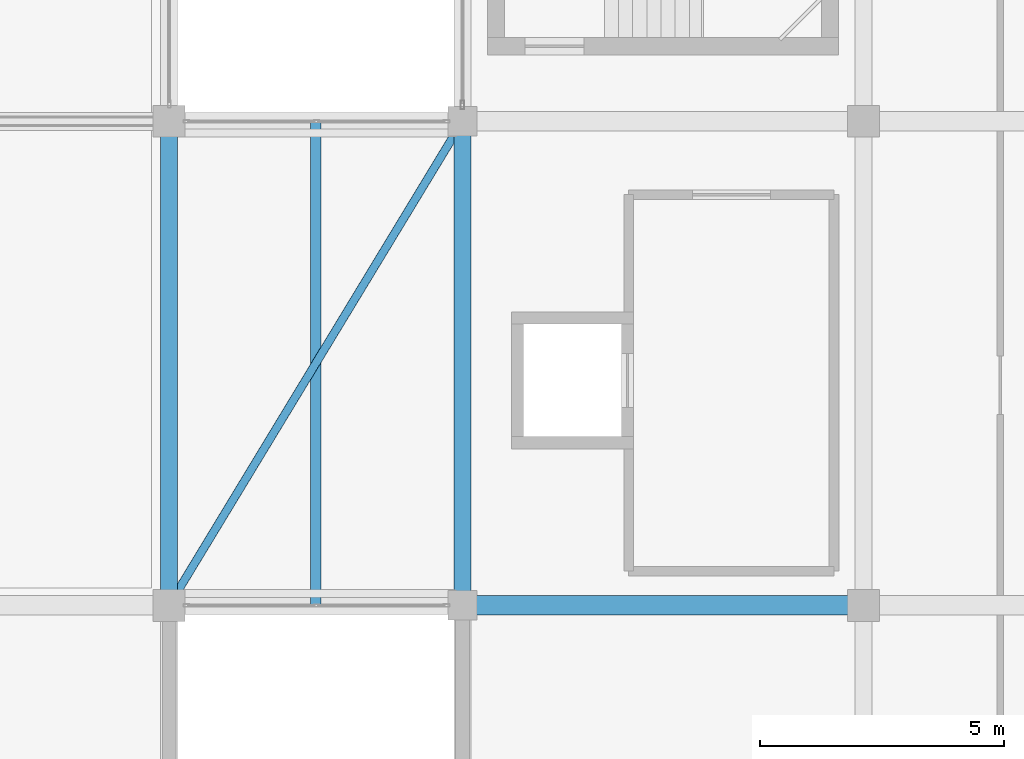
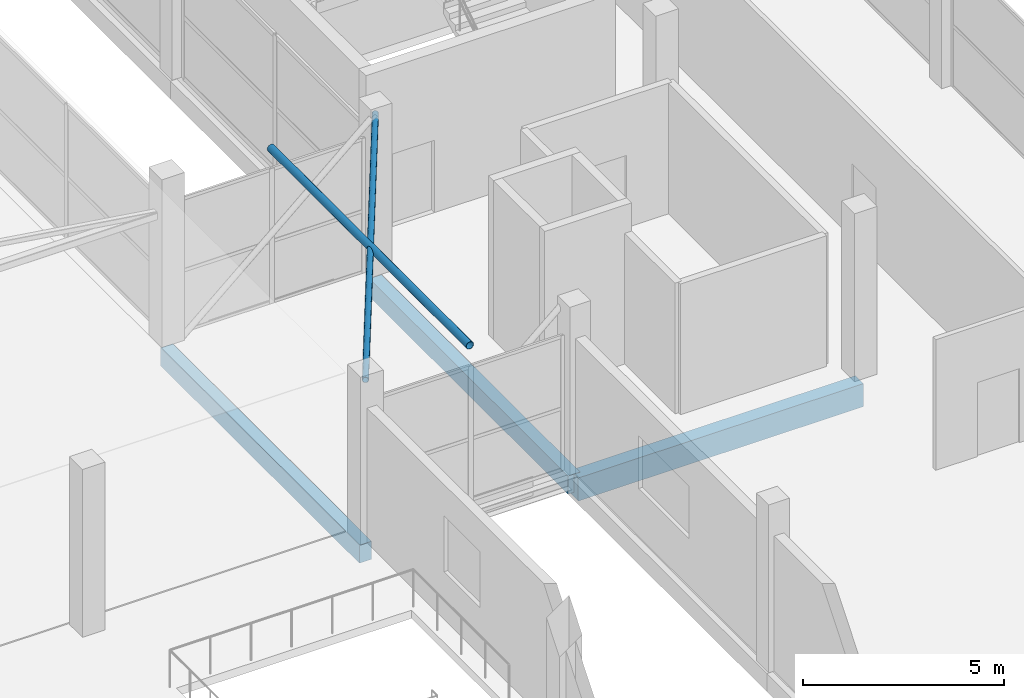
# One storey, part 13 of 58: 3 beams, 2 members.
"""IFC4 building model written with IfcOpenShell, lengths in metres."""

from ifc_helpers import new_model, si_unit, direction, frame, origin, origin_2d, place, context, subcontext, project, spatial, rectangle, hollow_circle, extrude, material, material_profile, profile_set, type_object, element, save


model = new_model("IFC4")

# Units and contexts
model_context = context("Model", 3, precision=1e-05, world=origin(), true_north=direction((0.0, 1.0)))
body_context = subcontext(model_context, "Body", "Model", "MODEL_VIEW")
ifc_project = project(units=[si_unit("LENGTHUNIT", "METRE"), si_unit("AREAUNIT", "SQUARE_METRE"), si_unit("VOLUMEUNIT", "CUBIC_METRE"), si_unit("PLANEANGLEUNIT", "RADIAN"), si_unit("MASSUNIT", "GRAM", prefix="KILO")], contexts=[model_context])

# Site, building, storey
site_placement = place(None, origin())
site = spatial("IfcSite", under=ifc_project, at=site_placement, CompositionType="ELEMENT")
building_placement = place(site_placement, origin())
building = spatial("IfcBuilding", under=site, at=building_placement, Name="Sillaruma Civic Art Gallery", CompositionType="ELEMENT")
storey_placement = place(building_placement, frame((0.0, 0.0, 52.02001953125)))
storey = spatial("IfcBuildingStorey", under=building, at=storey_placement, Name="L10", CompositionType="ELEMENT", Elevation=52.02001953125)

# Beams
ifc_material_1 = material(Name="Concrete H35 (35 MPa)", Category="concrete")
ifc_material_profile_1 = material_profile(ifc_material_1, rectangle(XDim=0.39990234375, YDim=0.699951171875, at=origin_2d()), Name="RCB400x700")
ifc_profile_set_1 = profile_set([ifc_material_profile_1], Name="Concrete H35 (35 MPa)")
beam_type_1 = type_object("IfcBeamType", Name="BM-BEAM-RCB400x700", PredefinedType="BEAM", material=ifc_profile_set_1)
beam_placement = place(storey_placement, frame((98.0, 39.60009765625, -0.60009765625), z_axis=(1.0, 0.0, 0.0), x_axis=(0.0, 1.0, 0.0)))
element("IfcBeam", 1, at=beam_placement, inside=storey, type_object=beam_type_1, Name="Beam BM-04 (L09:5:L-M)", PredefinedType="BEAM", context=body_context, shape_type="SweptSolid", body=[
    extrude(rectangle(XDim=0.39990234375, YDim=0.699951171875, at=origin_2d()), origin(), (0.0, 0.0, 1.0), 8.199951171875),
])
ifc_material_profile_2 = material_profile(ifc_material_1, rectangle(XDim=0.35009765625, YDim=0.550048828125, at=origin_2d()), Name="RCB350x550")
ifc_profile_set_2 = profile_set([ifc_material_profile_2], Name="Concrete H35 (35 MPa)")
beam_type_2 = type_object("IfcBeamType", Name="BM-SPANDREL-RCB350x550", PredefinedType="SPANDREL", material=ifc_profile_set_2)
for number, where, z_axis, x_axis, name in (
    (2, (92.0, 39.60009765625, -0.52490234375), (0.0, 1.0, 0.0), (-1.0, 0.0, 0.0), "Beam BS-04 (L09:K:5-6)"),
    (3, (98.0, 39.60009765625, -0.52490234375), (0.0, 1.0, 0.0), (-1.0, 0.0, 0.0), "Beam BS-04 (L09:L:5-6)"),
):
    element("IfcBeam", number, at=place(storey_placement, frame(where, z_axis=z_axis, x_axis=x_axis)), inside=storey, type_object=beam_type_2, Name=name, PredefinedType="SPANDREL", context=body_context, shape_type="SweptSolid", body=[
        extrude(rectangle(XDim=0.35009765625, YDim=0.550048828125, at=origin_2d()), origin(), (0.0, 0.0, 1.0), 9.89990234375),
    ])

# Members
ifc_material_2 = material(Name="Structural Steel ASTM A500 Gr.C", Category="steel")
ifc_material_profile_3 = material_profile(ifc_material_2, hollow_circle(Radius=0.084228515625, WallThickness=0.007080078125, at=origin_2d()), Name="CHS168.3x7.1")
ifc_profile_set_3 = profile_set([ifc_material_profile_3], Name="Structural Steel ASTM A500 Gr.C")
member_type_1 = type_object("IfcMemberType", Name="MEM-BRIDGE-BRACE", PredefinedType="BRACE", material=ifc_profile_set_3)
member_1_placement = place(storey_placement, frame((92.0, 39.60009765625, 4.7119140625), z_axis=(0.518305455332, 0.855195565337, 0.0), x_axis=(-0.855195565337, 0.518305455332, 0.0)))
element("IfcMember", 4, at=member_1_placement, inside=storey, type_object=member_type_1, Name="Sky-Bridge Diagonal Plan Brace (BRG-S:L11)", PredefinedType="BRACE", context=body_context, shape_type="SweptSolid", body=[
    extrude(hollow_circle(Radius=0.084228515625, WallThickness=0.007080078125, at=origin_2d()), origin(), (0.0, 0.0, 1.0), 11.576171875),
])
ifc_material_profile_4 = material_profile(ifc_material_2, hollow_circle(Radius=0.109619140625, WallThickness=0.00830078125, at=origin_2d()), Name="CHS219.1x8.2")
ifc_profile_set_4 = profile_set([ifc_material_profile_4], Name="Structural Steel ASTM A500 Gr.C")
member_type_2 = type_object("IfcMemberType", Name="MEM-BRIDGE-STRUT", PredefinedType="STRUT", material=ifc_profile_set_4)
member_2_placement = place(storey_placement, frame((95.0, 39.60009765625, 4.7119140625), z_axis=(0.0, 1.0, 0.0), x_axis=(-1.0, 0.0, 0.0)))
element("IfcMember", 5, at=member_2_placement, inside=storey, type_object=member_type_2, Name="Sky-Bridge Transverse Strut (BRG-S:L11)", PredefinedType="STRUT", context=body_context, shape_type="SweptSolid", body=[
    extrude(hollow_circle(Radius=0.109619140625, WallThickness=0.00830078125, at=origin_2d()), origin(), (0.0, 0.0, 1.0), 9.89990234375),
])

save(model, "model.ifc")
